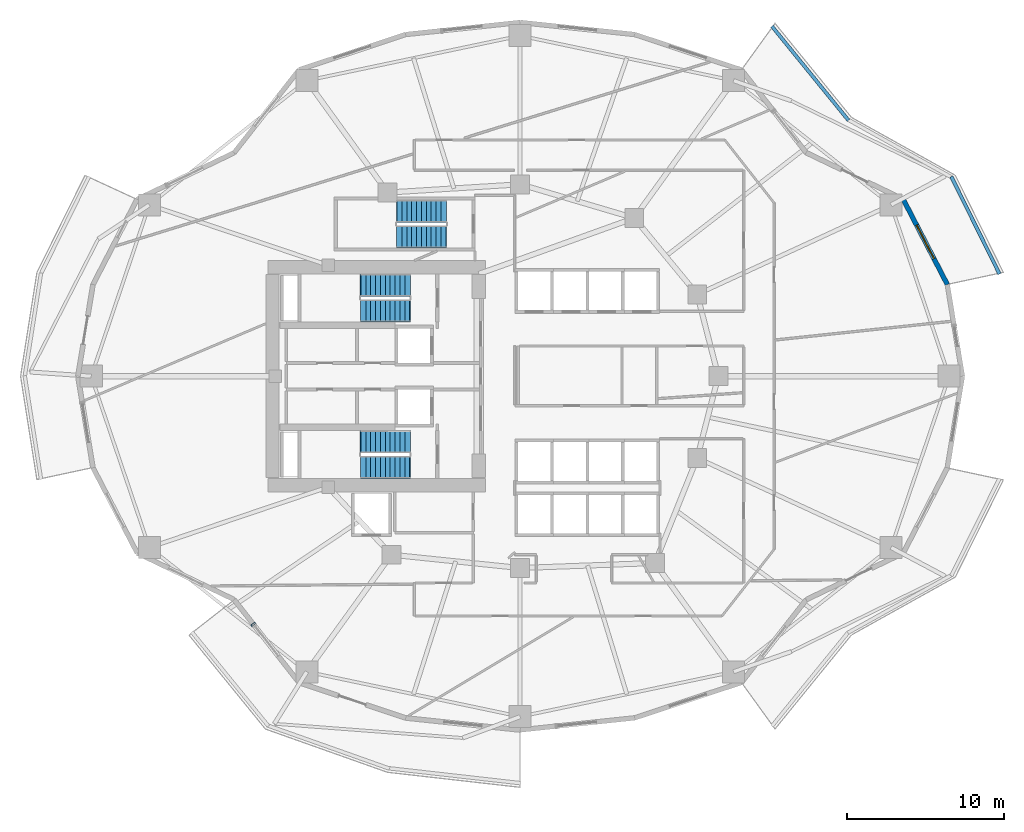
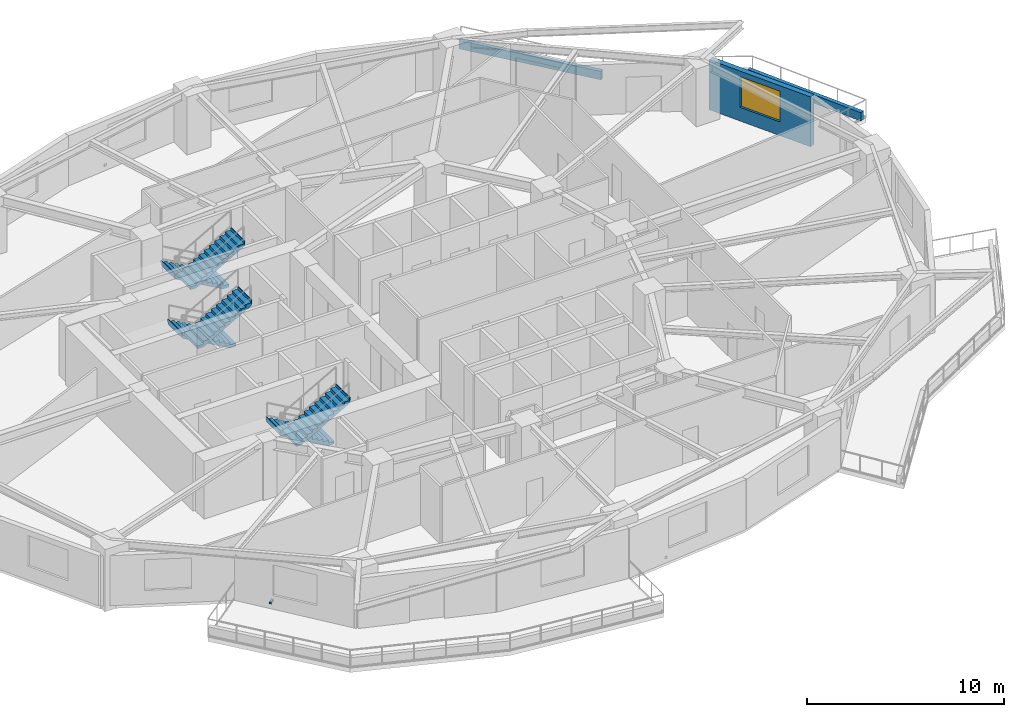
# One storey, part 7 of 14: 6 stair flights, 3 walls, 1 discrete accessory, 1 window, 1 opening, 3 elements without a shape of their own.
"""IFC4 building model written with IfcOpenShell, lengths in metres."""

from ifc_helpers import new_model, si_unit, direction, frame, frame_2d, origin, origin_2d, place, context, subcontext, project, spatial, polyline, rectangle, outline, extrude, material, layer, layer_set, type_object, element, fill, aggregate, save


model = new_model("IFC4")

# Units and contexts
model_context = context("Model", 3, precision=1e-05, world=origin(), true_north=direction((0.0, 1.0)))
body_context = subcontext(model_context, "Body", "Model", "MODEL_VIEW")
ifc_project = project(units=[si_unit("LENGTHUNIT", "METRE"), si_unit("AREAUNIT", "SQUARE_METRE"), si_unit("VOLUMEUNIT", "CUBIC_METRE"), si_unit("PLANEANGLEUNIT", "RADIAN"), si_unit("MASSUNIT", "GRAM", prefix="KILO")], contexts=[model_context])

# Site, building, storey
site_placement = place(None, origin())
site = spatial("IfcSite", under=ifc_project, at=site_placement, CompositionType="ELEMENT")
building_placement = place(site_placement, origin())
building = spatial("IfcBuilding", under=site, at=building_placement, Name="Kolvaren Gate Tower and Convention Centre", CompositionType="ELEMENT")
storey_placement = place(building_placement, frame((0.0, 0.0, 41.89990234375)))
storey = spatial("IfcBuildingStorey", under=building, at=storey_placement, Name="L09", CompositionType="ELEMENT", Elevation=41.89990234375)

# Walls
ifc_material_1 = material(Name="Piedmont Cream Honed Limestone Cladding", Category="masonry")
ifc_layer_1 = layer(ifc_material_1, 0.219970703125)
ifc_layer_set_1 = layer_set([ifc_layer_1], Name="Piedmont Cream Honed Limestone Cladding")
wall_type_1 = type_object("IfcWallType", Name="ARCH-WL-PLANTER-220", PredefinedType="PARAPET", material=ifc_layer_set_1)
wall_1_placement = place(storey_placement, frame((57.538818359375, 39.696533203125, 0.0), z_axis=(0.0, 0.0, 1.0), x_axis=(0.443578479433, -0.8962355341, 0.0)))
element("IfcWall", 1, at=wall_1_placement, inside=storey, type_object=wall_type_1, Name="Vertical-Forest Balcony Stone Planter Kerb PK-L09-1.1", PredefinedType="PARAPET", context=body_context, shape_type="SweptSolid", body=[
    extrude(rectangle(XDim=6.9111328125, YDim=0.219970703125, at=frame_2d((3.45556640625, 0.0))), origin(), (0.0, 0.0, 1.0), 0.52001953125),
])
wall_2_placement = place(storey_placement, frame((46.1357421875, 49.251220703125, 0.0), z_axis=(0.0, 0.0, 1.0), x_axis=(0.630997450658, -0.775784903993, 0.0)))
element("IfcWall", 2, at=wall_2_placement, inside=storey, type_object=wall_type_1, Name="Vertical-Forest Balcony Stone Planter Kerb PK-L09-1.3", PredefinedType="PARAPET", context=body_context, shape_type="SweptSolid", body=[
    extrude(rectangle(XDim=7.7177734375, YDim=0.219970703125, at=frame_2d((3.85888671875, 0.0))), origin(), (0.0, 0.0, 1.0), 0.52001953125),
])

# Wall, opening, window
ifc_layer_2 = layer(ifc_material_1, 0.300048828125)
ifc_layer_set_2 = layer_set([ifc_layer_2], Name="Piedmont Cream Honed Limestone Cladding")
wall_type_2 = type_object("IfcWallType", Name="ARCH-WL-STONE-300", PredefinedType="SOLIDWALL", material=ifc_layer_set_2)
wall_3_placement = place(storey_placement, frame((54.48193359375, 38.25, 0.0), z_axis=(0.0, 0.0, 1.0), x_axis=(0.459809804413, -0.88801742312, 0.0)))
wall_3 = element("IfcWall", 3, at=wall_3_placement, inside=storey, type_object=wall_type_2, Name="Tower L09 Honed Stone Spandrel Wall EW-01", PredefinedType="SOLIDWALL", context=body_context, shape_type="SweptSolid", body=[
    extrude(rectangle(XDim=6.11083984375, YDim=0.300048828125, at=frame_2d((3.055419921875, 0.0))), origin(), (0.0, 0.0, 1.0), 3.093017578125),
])
opening_placement = place(wall_3_placement, frame((1.85498046875, 0.0, 0.85009765625)))
opening = element("IfcOpeningElement", 4, at=opening_placement, cuts=wall_3, Name="Opening W-01", PredefinedType="OPENING", context=body_context, shape_type="SweptSolid", body=[
    extrude(rectangle(XDim=2.39990234375, YDim=1.89990234375, at=frame_2d((1.199951171875, 0.949951171875))), frame((0.0, 0.159912109375, 0.0), z_axis=(0.0, -1.0, 0.0), x_axis=(1.0, 0.0, 0.0)), (0.0, 0.0, 1.0), 0.320068359375),
])
ifc_material_2 = material(Name="Low-E Triple Insulated Glazing Unit 44 mm", Category="glass")
window_type = type_object("IfcWindowType", Name="ARCH-WN-OFF-2400", PartitioningType="SINGLE_PANEL", PredefinedType="WINDOW", material=ifc_material_2)
window_placement = place(opening_placement, origin())
window = element("IfcWindow", 5, at=window_placement, inside=storey, type_object=window_type, Name="Tower L09 Punched Stone Facade Window W-01", OverallHeight=1.89990234375, OverallWidth=2.39990234375, PartitioningType="SINGLE_PANEL", PredefinedType="WINDOW", context=body_context, shape_type="SweptSolid", body=[
    extrude(rectangle(XDim=2.39990234375, YDim=1.89990234375, at=frame_2d((1.199951171875, 0.949951171875))), frame((0.0, 0.030029296875, 0.0), z_axis=(0.0, -1.0, 0.0), x_axis=(1.0, 0.0, 0.0)), (0.0, 0.0, 1.0), 0.06005859375),
])
fill(opening, window)

# Stair, stair flights
ifc_material_3 = material(Name="Concrete C50/60", Category="concrete")
stair_type = type_object("IfcStairType", Name="STR-STAIR-CORE", PredefinedType="HALF_TURN_STAIR", material=ifc_material_3)
stair_1_placement = place(storey_placement, origin())
stair_1 = element("IfcStair", 6, at=stair_1_placement, inside=storey, type_object=stair_type, Name="L09 Tower North Exit Stair ST-T1", PredefinedType="HALF_TURN_STAIR")
stair_flight_type = type_object("IfcStairFlightType", Name="STR-SFL-1420", PredefinedType="STRAIGHT", material=ifc_material_3)
stair_flight_1_placement = place(storey_placement, frame((23.10009765625, 32.7900390625, 0.0), z_axis=(0.0, 0.0, 1.0), x_axis=(-1.0, 0.0, 0.0)))
stair_flight_1 = element("IfcStairFlight", 7, at=stair_flight_1_placement, type_object=stair_flight_type, Name="ST-T1 flight 1", NumberOfRisers=11, NumberOfTreads=10, PredefinedType="STRAIGHT", RiserHeight=0.175, TreadLength=0.31, context=body_context, shape_type="SweptSolid", body=[
    extrude(outline(polyline([(-0.034912109375, 0.0), (-0.034912109375, 0.175048828125), (0.31005859375, 0.175048828125), (0.31005859375, 0.35009765625), (0.6201171875, 0.35009765625), (0.6201171875, 0.52490234375), (0.929931640625, 0.52490234375), (0.929931640625, 0.699951171875), (1.239990234375, 0.699951171875), (1.239990234375, 0.875), (1.550048828125, 0.875), (1.550048828125, 1.050048828125), (1.860107421875, 1.050048828125), (1.860107421875, 1.22509765625), (2.169921875, 1.22509765625), (2.169921875, 1.39990234375), (2.47998046875, 1.39990234375), (2.47998046875, 1.574951171875), (2.7900390625, 1.574951171875), (2.7900390625, 1.75), (3.10009765625, 1.75), (3.10009765625, 1.925048828125), (3.14501953125, 1.925048828125), (3.14501953125, 1.764892578125), (3.10009765625, 1.577880859375), (0.304931640625, 0.0), (-0.034912109375, 0.0)])), frame((0.0, 0.7099609375, 0.0), z_axis=(0.0, -1.0, 0.0), x_axis=(1.0, 0.0, 0.0)), (0.0, 0.0, 1.0), 1.419921875),
])
stair_flight_2_placement = place(storey_placement, frame((20.0, 31.169921875, 1.925048828125), z_axis=(0.0, 0.0, 1.0), x_axis=(1.0, 0.0, 0.0)))
stair_flight_2 = element("IfcStairFlight", 8, at=stair_flight_2_placement, type_object=stair_flight_type, Name="ST-T1 flight 2", NumberOfRisers=11, NumberOfTreads=10, PredefinedType="STRAIGHT", RiserHeight=0.175, TreadLength=0.31, context=body_context, shape_type="SweptSolid", body=[
    extrude(outline(polyline([(-0.034912109375, 0.0), (-0.034912109375, 0.175048828125), (0.31005859375, 0.175048828125), (0.31005859375, 0.35009765625), (0.6201171875, 0.35009765625), (0.6201171875, 0.52490234375), (0.929931640625, 0.52490234375), (0.929931640625, 0.699951171875), (1.239990234375, 0.699951171875), (1.239990234375, 0.875), (1.550048828125, 0.875), (1.550048828125, 1.050048828125), (1.860107421875, 1.050048828125), (1.860107421875, 1.22509765625), (2.169921875, 1.22509765625), (2.169921875, 1.39990234375), (2.47998046875, 1.39990234375), (2.47998046875, 1.574951171875), (2.7900390625, 1.574951171875), (2.7900390625, 1.75), (3.10009765625, 1.75), (3.10009765625, 1.925048828125), (3.14501953125, 1.925048828125), (3.14501953125, 1.764892578125), (3.10009765625, 1.577880859375), (0.304931640625, 0.0), (-0.034912109375, 0.0)])), frame((0.0, 0.7099609375, 0.0), z_axis=(0.0, -1.0, 0.0), x_axis=(1.0, 0.0, 0.0)), (0.0, 0.0, 1.0), 1.419921875),
])
aggregate(stair_1, [stair_flight_1, stair_flight_2])

stair_2_placement = place(storey_placement, origin())
stair_2 = element("IfcStair", 9, at=stair_2_placement, inside=storey, type_object=stair_type, Name="L09 Tower South Exit Stair ST-T2", PredefinedType="HALF_TURN_STAIR")
stair_flight_3_placement = place(storey_placement, frame((23.10009765625, 22.830078125, 0.0), z_axis=(0.0, 0.0, 1.0), x_axis=(-1.0, 0.0, 0.0)))
stair_flight_3 = element("IfcStairFlight", 10, at=stair_flight_3_placement, type_object=stair_flight_type, Name="ST-T2 flight 1", NumberOfRisers=11, NumberOfTreads=10, PredefinedType="STRAIGHT", RiserHeight=0.175, TreadLength=0.31, context=body_context, shape_type="SweptSolid", body=[
    extrude(outline(polyline([(-0.034912109375, 0.0), (-0.034912109375, 0.175048828125), (0.31005859375, 0.175048828125), (0.31005859375, 0.35009765625), (0.6201171875, 0.35009765625), (0.6201171875, 0.52490234375), (0.929931640625, 0.52490234375), (0.929931640625, 0.699951171875), (1.239990234375, 0.699951171875), (1.239990234375, 0.875), (1.550048828125, 0.875), (1.550048828125, 1.050048828125), (1.860107421875, 1.050048828125), (1.860107421875, 1.22509765625), (2.169921875, 1.22509765625), (2.169921875, 1.39990234375), (2.47998046875, 1.39990234375), (2.47998046875, 1.574951171875), (2.7900390625, 1.574951171875), (2.7900390625, 1.75), (3.10009765625, 1.75), (3.10009765625, 1.925048828125), (3.14501953125, 1.925048828125), (3.14501953125, 1.764892578125), (3.10009765625, 1.577880859375), (0.304931640625, 0.0), (-0.034912109375, 0.0)])), frame((0.0, 0.7099609375, 0.0), z_axis=(0.0, -1.0, 0.0), x_axis=(1.0, 0.0, 0.0)), (0.0, 0.0, 1.0), 1.419921875),
])
stair_flight_4_placement = place(storey_placement, frame((20.0, 21.2099609375, 1.925048828125), z_axis=(0.0, 0.0, 1.0), x_axis=(1.0, 0.0, 0.0)))
stair_flight_4 = element("IfcStairFlight", 11, at=stair_flight_4_placement, type_object=stair_flight_type, Name="ST-T2 flight 2", NumberOfRisers=11, NumberOfTreads=10, PredefinedType="STRAIGHT", RiserHeight=0.175, TreadLength=0.31, context=body_context, shape_type="SweptSolid", body=[
    extrude(outline(polyline([(-0.034912109375, 0.0), (-0.034912109375, 0.175048828125), (0.31005859375, 0.175048828125), (0.31005859375, 0.35009765625), (0.6201171875, 0.35009765625), (0.6201171875, 0.52490234375), (0.929931640625, 0.52490234375), (0.929931640625, 0.699951171875), (1.239990234375, 0.699951171875), (1.239990234375, 0.875), (1.550048828125, 0.875), (1.550048828125, 1.050048828125), (1.860107421875, 1.050048828125), (1.860107421875, 1.22509765625), (2.169921875, 1.22509765625), (2.169921875, 1.39990234375), (2.47998046875, 1.39990234375), (2.47998046875, 1.574951171875), (2.7900390625, 1.574951171875), (2.7900390625, 1.75), (3.10009765625, 1.75), (3.10009765625, 1.925048828125), (3.14501953125, 1.925048828125), (3.14501953125, 1.764892578125), (3.10009765625, 1.577880859375), (0.304931640625, 0.0), (-0.034912109375, 0.0)])), frame((0.0, 0.7099609375, 0.0), z_axis=(0.0, -1.0, 0.0), x_axis=(1.0, 0.0, 0.0)), (0.0, 0.0, 1.0), 1.419921875),
])
aggregate(stair_2, [stair_flight_3, stair_flight_4])

stair_3_placement = place(storey_placement, origin())
stair_3 = element("IfcStair", 12, at=stair_3_placement, inside=storey, type_object=stair_type, Name="L09 Tower Mid-Zone Exit Stair ST-T3", PredefinedType="HALF_TURN_STAIR")
stair_flight_5_placement = place(storey_placement, frame((25.39990234375, 37.489990234375, 0.0), z_axis=(0.0, 0.0, 1.0), x_axis=(-1.0, 0.0, 0.0)))
stair_flight_5 = element("IfcStairFlight", 13, at=stair_flight_5_placement, type_object=stair_flight_type, Name="ST-T3 flight 1", NumberOfRisers=11, NumberOfTreads=10, PredefinedType="STRAIGHT", RiserHeight=0.175, TreadLength=0.31, context=body_context, shape_type="SweptSolid", body=[
    extrude(outline(polyline([(-0.034912109375, 0.0), (-0.034912109375, 0.175048828125), (0.31005859375, 0.175048828125), (0.31005859375, 0.35009765625), (0.6201171875, 0.35009765625), (0.6201171875, 0.52490234375), (0.929931640625, 0.52490234375), (0.929931640625, 0.699951171875), (1.239990234375, 0.699951171875), (1.239990234375, 0.875), (1.550048828125, 0.875), (1.550048828125, 1.050048828125), (1.860107421875, 1.050048828125), (1.860107421875, 1.22509765625), (2.169921875, 1.22509765625), (2.169921875, 1.39990234375), (2.47998046875, 1.39990234375), (2.47998046875, 1.574951171875), (2.7900390625, 1.574951171875), (2.7900390625, 1.75), (3.10009765625, 1.75), (3.10009765625, 1.925048828125), (3.14501953125, 1.925048828125), (3.14501953125, 1.764892578125), (3.10009765625, 1.577880859375), (0.304931640625, 0.0), (-0.034912109375, 0.0)])), frame((0.0, 0.7099609375, 0.0), z_axis=(0.0, -1.0, 0.0), x_axis=(1.0, 0.0, 0.0)), (0.0, 0.0, 1.0), 1.419921875),
])
stair_flight_6_placement = place(storey_placement, frame((22.300048828125, 35.8701171875, 1.925048828125), z_axis=(0.0, 0.0, 1.0), x_axis=(1.0, 0.0, 0.0)))
stair_flight_6 = element("IfcStairFlight", 14, at=stair_flight_6_placement, type_object=stair_flight_type, Name="ST-T3 flight 2", NumberOfRisers=11, NumberOfTreads=10, PredefinedType="STRAIGHT", RiserHeight=0.175, TreadLength=0.31, context=body_context, shape_type="SweptSolid", body=[
    extrude(outline(polyline([(-0.034912109375, 0.0), (-0.034912109375, 0.175048828125), (0.31005859375, 0.175048828125), (0.31005859375, 0.35009765625), (0.6201171875, 0.35009765625), (0.6201171875, 0.52490234375), (0.929931640625, 0.52490234375), (0.929931640625, 0.699951171875), (1.239990234375, 0.699951171875), (1.239990234375, 0.875), (1.550048828125, 0.875), (1.550048828125, 1.050048828125), (1.860107421875, 1.050048828125), (1.860107421875, 1.22509765625), (2.169921875, 1.22509765625), (2.169921875, 1.39990234375), (2.47998046875, 1.39990234375), (2.47998046875, 1.574951171875), (2.7900390625, 1.574951171875), (2.7900390625, 1.75), (3.10009765625, 1.75), (3.10009765625, 1.925048828125), (3.14501953125, 1.925048828125), (3.14501953125, 1.764892578125), (3.10009765625, 1.577880859375), (0.304931640625, 0.0), (-0.034912109375, 0.0)])), frame((0.0, 0.7099609375, 0.0), z_axis=(0.0, -1.0, 0.0), x_axis=(1.0, 0.0, 0.0)), (0.0, 0.0, 1.0), 1.419921875),
])
aggregate(stair_3, [stair_flight_5, stair_flight_6])

# Discrete accessory
ifc_material_4 = material(Name="Anodized Architectural Aluminium Alloy 6063-T6", Category="aluminium")
discrete_accessory_type = type_object("IfcDiscreteAccessoryType", Name="ARCH-ACC-BRACKET-120", PredefinedType="BRACKET", material=ifc_material_4)
discrete_accessory_placement = place(storey_placement, frame((13.16015625, 11.2216796875, 0.2900390625), z_axis=(0.0, 0.0, 1.0), x_axis=(0.616424499081, -0.787414018756, 0.0)))
element("IfcDiscreteAccessory", 15, at=discrete_accessory_placement, inside=storey, type_object=discrete_accessory_type, Name="Ceramic Fin Wall Anchor Bracket FBK-L09-15", PredefinedType="BRACKET", context=body_context, shape_type="SweptSolid", body=[
    extrude(rectangle(XDim=0.1201171875, YDim=0.320068359375, at=origin_2d()), origin(), (0.0, 0.0, 1.0), 0.1201171875),
])

save(model, "model.ifc")
